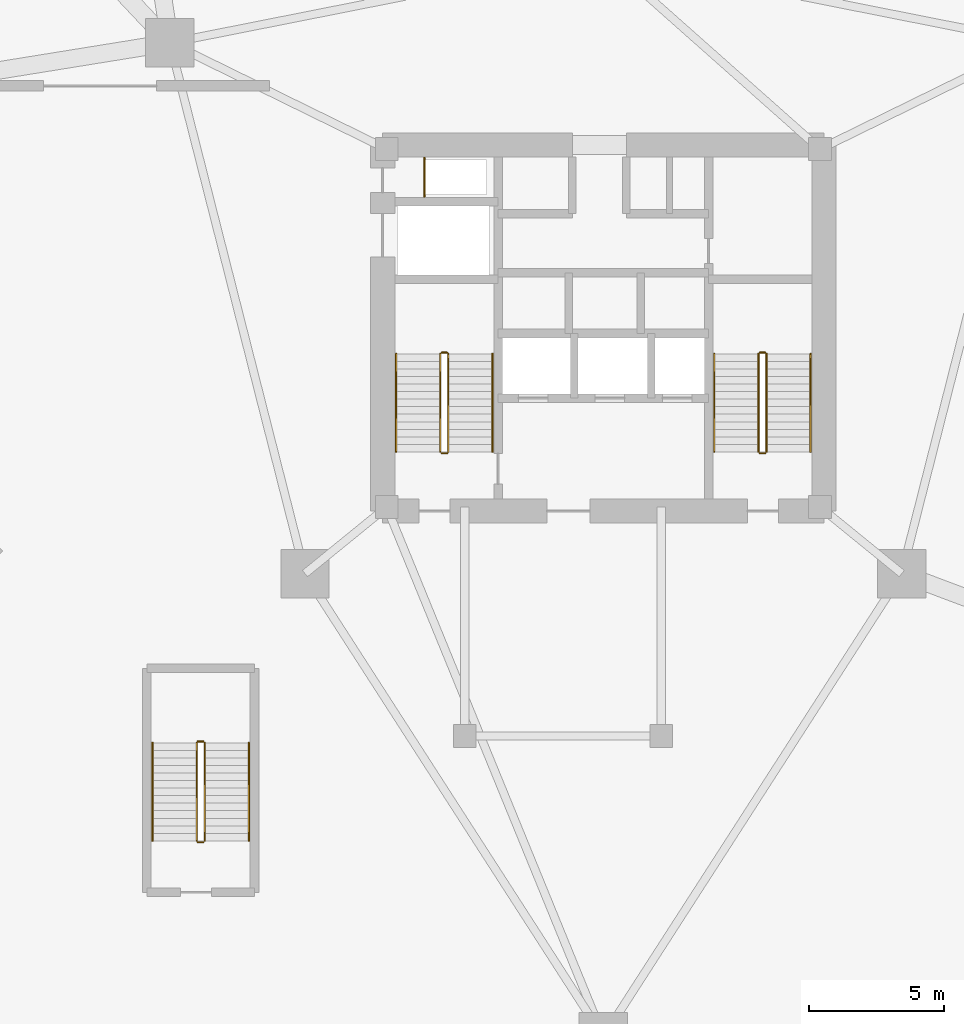
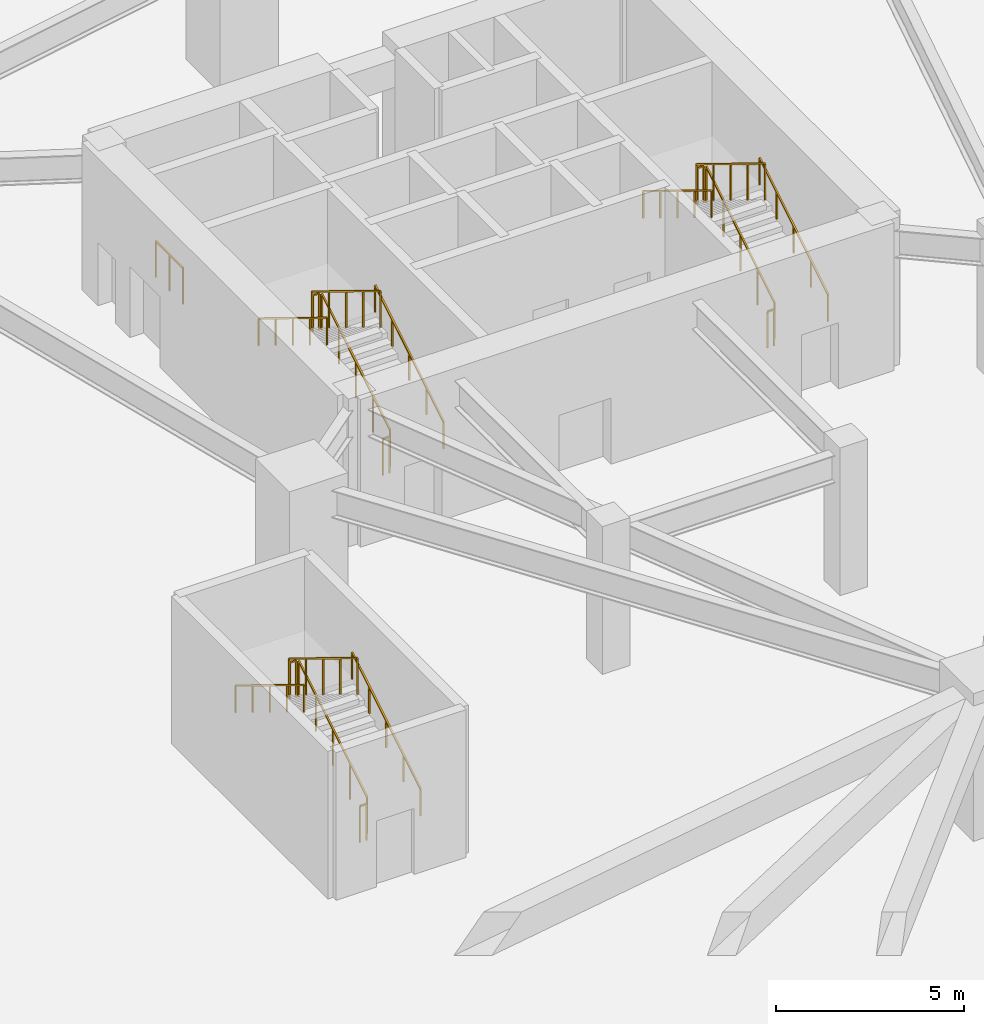
# One storey, part 7 of 7: 19 railings.
"""IFC4 building model written with IfcOpenShell, lengths in metres."""

import ifcopenshell
import ifcopenshell.guid

model = None  # the IFC model being written
_history = None  # IfcOwnerHistory: only IFC2X3 demands one
_inside = {}  # id of a spatial element -> (the spatial element, [elements in it])
_under = {}  # id of a project, library or spatial element -> (it, [spatial elements below it])
_declared = {}  # id of a project -> (the project, [libraries it declares])
_typed = {}  # id of a type object -> (the type object, [elements of that type])
_made_of = {}  # id of a material, layer set ... -> (it, [elements and type objects made of it])


def new_model(schema):
    """Start an empty IFC model of exactly this schema.

    Asked for "IFC4X3", IfcOpenShell would pick the latest addendum, in which some entities
    have other attributes; the version numbers below select the first issue.
    IFC2X3 requires an IfcOwnerHistory on every rooted entity: one is made here for all.
    """
    global model, _history
    if schema == "IFC4X3":
        model = ifcopenshell.file(schema_version=(4, 3, 0, 0))
    else:
        model = ifcopenshell.file(schema=schema)
    _inside.clear()
    _under.clear()
    _declared.clear()
    _typed.clear()
    _made_of.clear()
    _history = None
    if model.schema == "IFC2X3":
        org = make("IfcOrganization", Name="unknown")
        user = make(
            "IfcPersonAndOrganization",
            ThePerson=make("IfcPerson", FamilyName="unknown"),
            TheOrganization=org,
        )
        app = make(
            "IfcApplication",
            ApplicationDeveloper=org,
            Version="unknown",
            ApplicationFullName="unknown",
            ApplicationIdentifier="unknown",
        )
        _history = make(
            "IfcOwnerHistory",
            OwningUser=user,
            OwningApplication=app,
            ChangeAction="ADDED",
            CreationDate=0,
        )
    return model


def make(cls, **values):
    """One entity of the class cls with the attributes given. An attribute that is None is left unset."""
    return model.create_entity(
        cls, **{name: value for name, value in values.items() if value is not None}
    )


def rooted(cls, **values):
    """An entity with a GlobalId (a new one), such as an element, a storey or a relation."""
    return make(cls, GlobalId=ifcopenshell.guid.new(), OwnerHistory=_history, **values)


def si_unit(unit_type, name, prefix=None):
    """IfcSIUnit, for example si_unit("LENGTHUNIT", "METRE", prefix="MILLI")."""
    return make("IfcSIUnit", UnitType=unit_type, Prefix=prefix, Name=name)


def assignment(units):
    """IfcUnitAssignment: the units of a project."""
    return None if units is None else make("IfcUnitAssignment", Units=units)


def point(xyz):
    """IfcCartesianPoint."""
    return None if xyz is None else make("IfcCartesianPoint", Coordinates=xyz)


def direction(xyz):
    """IfcDirection."""
    return None if xyz is None else make("IfcDirection", DirectionRatios=xyz)


def frame(location, z_axis=None, x_axis=None):
    """IfcAxis2Placement3D, a coordinate frame: its origin and axes. An axis left out is left unset."""
    return make(
        "IfcAxis2Placement3D",
        Location=point(location),
        Axis=direction(z_axis),
        RefDirection=direction(x_axis),
    )


def frame_2d(location, x_axis=None):
    """IfcAxis2Placement2D, a coordinate frame in the plane: its origin and x axis."""
    return make(
        "IfcAxis2Placement2D", Location=point(location), RefDirection=direction(x_axis)
    )


def origin():
    """The frame at (0, 0, 0) with its axes left unset."""
    return frame((0.0, 0.0, 0.0))


def origin_2d():
    """The frame at (0, 0) in the plane with its x axis left unset."""
    return frame_2d((0.0, 0.0))


def place(relative_to, where):
    """IfcLocalPlacement: puts the frame where relative to a parent placement (None: the world)."""
    return make(
        "IfcLocalPlacement", PlacementRelTo=relative_to, RelativePlacement=where
    )


def context(
    kind, dimensions, precision=None, world=None, true_north=None, identifier=None
):
    """IfcGeometricRepresentationContext, for example the 3D "Model" context."""
    return make(
        "IfcGeometricRepresentationContext",
        ContextIdentifier=identifier,
        ContextType=kind,
        CoordinateSpaceDimension=dimensions,
        Precision=precision,
        WorldCoordinateSystem=world,
        TrueNorth=true_north,
    )


def subcontext(parent, identifier, kind, view, scale=None):
    """IfcGeometricRepresentationSubContext, for example "Body" below "Model"."""
    return make(
        "IfcGeometricRepresentationSubContext",
        ContextIdentifier=identifier,
        ContextType=kind,
        ParentContext=parent,
        TargetScale=scale,
        TargetView=view,
    )


def project(units=None, contexts=None):
    """IfcProject with its units and contexts."""
    return rooted(
        "IfcProject",
        Name="project",
        RepresentationContexts=contexts,
        UnitsInContext=assignment(units),
    )


def spatial(cls, under=None, at=None, **own):
    """A site, building, storey or space (cls), placed at a placement, below another one or the project."""
    s = rooted(cls, ObjectPlacement=at, **own)
    if under is not None:
        _under.setdefault(under.id(), (under, []))[1].append(s)
    return s


def profile(cls, at=None, kind="AREA", **sizes):
    """A parametric profile (cls). Its sizes go by their IFC names, for example OverallWidth=200.0."""
    return make(cls, ProfileType=kind, Position=at, **sizes)


def rectangle(**sizes):
    """IfcRectangleProfileDef."""
    return profile("IfcRectangleProfileDef", **sizes)


def extrude(swept, where, along, depth):
    """IfcExtrudedAreaSolid: the profile swept, set in the frame where, extruded along a direction by depth."""
    return make(
        "IfcExtrudedAreaSolid",
        SweptArea=swept,
        Position=where,
        ExtrudedDirection=direction(along),
        Depth=depth,
    )


def shape(context_of_items, identifier, shape_type, items):
    """IfcShapeRepresentation: the items that make up one representation, for example the "Body"."""
    return make(
        "IfcShapeRepresentation",
        ContextOfItems=context_of_items,
        RepresentationIdentifier=identifier,
        RepresentationType=shape_type,
        Items=items,
    )


def material(Name=None, Category=None):
    """IfcMaterial."""
    return make("IfcMaterial", Name=Name, Category=Category)


def made_of(thing, what):
    """Note that an element or type object is made of a material, layer set ...; save() writes the relation."""
    if what is not None:
        _made_of.setdefault(what.id(), (what, []))[1].append(thing)
    return thing


def type_object(cls, material=None, **own):
    """A type object (cls), such as IfcWallType, which elements share."""
    return made_of(rooted(cls, **own), material)


def element(
    cls,
    number,
    at=None,
    inside=None,
    cuts=None,
    type_object=None,
    material=None,
    context=None,
    identifier="Body",
    shape_type=None,
    held_by="IfcProductDefinitionShape",
    body=None,
    shapes=None,
    **own,
):
    """One element of the class cls, such as IfcWall. Its Tag is "e" and its number.

    at: its placement. inside: the storey or other place that contains it. cuts: it is an
    opening in that element (IfcRelVoidsElement). A single representation is given by context,
    identifier, shape_type and body (its items); several are given by shapes. held_by: the class
    of the entity that holds the representations. save() writes the other relations.
    """
    e = rooted(cls, Tag="e%d" % number, ObjectPlacement=at, **own)
    if body is not None:
        shapes = [shape(context, identifier, shape_type, body)]
    if shapes is not None:
        e.Representation = make(held_by, Representations=shapes)
    if inside is not None:
        _inside.setdefault(inside.id(), (inside, []))[1].append(e)
    if cuts is not None:
        rooted(
            "IfcRelVoidsElement", RelatingBuildingElement=cuts, RelatedOpeningElement=e
        )
    if type_object is not None:
        _typed.setdefault(type_object.id(), (type_object, []))[1].append(e)
    return made_of(e, material)


def aggregate(whole, parts):
    """IfcRelAggregates: a whole, such as a stair, and the parts it consists of."""
    return rooted("IfcRelAggregates", RelatingObject=whole, RelatedObjects=parts)


def save(model, path):
    """Write the relations noted so far, then the file.

    IfcRelAggregates (storeys below a building ...), IfcRelContainedInSpatialStructure (elements
    in a storey), IfcRelDefinesByType, IfcRelAssociatesMaterial and IfcRelDeclares: one each for
    every whole, place, type object, material and project.
    """
    for whole, parts in _under.values():
        aggregate(whole, parts)
    for where, things in _inside.values():
        rooted(
            "IfcRelContainedInSpatialStructure",
            RelatedElements=things,
            RelatingStructure=where,
        )
    for kind, things in _typed.values():
        rooted("IfcRelDefinesByType", RelatedObjects=things, RelatingType=kind)
    for what, things in _made_of.values():
        rooted("IfcRelAssociatesMaterial", RelatedObjects=things, RelatingMaterial=what)
    for by, libraries in _declared.values():
        rooted("IfcRelDeclares", RelatingContext=by, RelatedDefinitions=libraries)
    model.write(path)


model = new_model("IFC4")

# Units and contexts
model_context = context("Model", 3, precision=1e-05, world=origin(), true_north=direction((0.0, 1.0)))
body_context = subcontext(model_context, "Body", "Model", "MODEL_VIEW")
ifc_project = project(units=[si_unit("LENGTHUNIT", "METRE"), si_unit("AREAUNIT", "SQUARE_METRE"), si_unit("VOLUMEUNIT", "CUBIC_METRE"), si_unit("PLANEANGLEUNIT", "RADIAN"), si_unit("MASSUNIT", "GRAM", prefix="KILO")], contexts=[model_context])

# Site, building, storey
site_placement = place(None, origin())
site = spatial("IfcSite", under=ifc_project, at=site_placement, CompositionType="ELEMENT")
building_placement = place(site_placement, origin())
building = spatial("IfcBuilding", under=site, at=building_placement, Name="Talyreon Biosciences Tower", CompositionType="ELEMENT")
storey_placement = place(building_placement, frame((0.0, 0.0, -4.800048828125)))
storey = spatial("IfcBuildingStorey", under=building, at=storey_placement, Name="B1", CompositionType="ELEMENT", Elevation=-4.800048828125)

# Railings
ifc_material_1 = material(Name="Brushed stainless-steel tubular handrail", Category="steel")
railing_type_1 = type_object("IfcRailingType", Name="StairWallHandrail_900", PredefinedType="HANDRAIL", material=ifc_material_1)
railing_1_placement = place(storey_placement, frame((61.8798828125, 63.39990234375, 0.17138671875)))
element("IfcRailing", 1, at=railing_1_placement, inside=storey, type_object=railing_type_1, Name="B1 ST-1 stair handrail 1", PredefinedType="HANDRAIL", context=body_context, shape_type="SweptSolid", body=[
    extrude(rectangle(XDim=0.048095703125, YDim=0.048095703125, at=origin_2d()), frame((0.0, 0.0, 0.8759765625), z_axis=(0.0, 0.852840387347, 0.522171689878), x_axis=(-1.0, 0.0, 0.0)), (0.0, 0.0, 1.0), 4.268310546875),
    extrude(rectangle(XDim=0.0419921875, YDim=0.0419921875, at=origin_2d()), origin(), (0.0, 0.0, 1.0), 0.851806640625),
    extrude(rectangle(XDim=0.0419921875, YDim=0.0419921875, at=origin_2d()), frame((0.0, 0.91015625, 0.55712890625)), (0.0, 0.0, 1.0), 0.851806640625),
    extrude(rectangle(XDim=0.0419921875, YDim=0.0419921875, at=origin_2d()), frame((0.0, 1.820068359375, 1.1142578125)), (0.0, 0.0, 1.0), 0.851806640625),
    extrude(rectangle(XDim=0.0419921875, YDim=0.0419921875, at=origin_2d()), frame((0.0, 2.72998046875, 1.671630859375)), (0.0, 0.0, 1.0), 0.851806640625),
    extrude(rectangle(XDim=0.0419921875, YDim=0.0419921875, at=origin_2d()), frame((0.0, 3.64013671875, 2.228759765625)), (0.0, 0.0, 1.0), 0.851806640625),
])
railing_2_placement = place(storey_placement, frame((58.300048828125, 67.0400390625, 2.571533203125)))
element("IfcRailing", 2, at=railing_2_placement, inside=storey, type_object=railing_type_1, Name="B1 ST-1 stair handrail 2", PredefinedType="HANDRAIL", context=body_context, shape_type="SweptSolid", body=[
    extrude(rectangle(XDim=0.048095703125, YDim=0.048095703125, at=origin_2d()), frame((0.0, 0.0, 0.8759765625), z_axis=(0.0, -0.852865859571, 0.52213008492), x_axis=(1.0, 0.0, 0.0)), (0.0, 0.0, 1.0), 4.26806640625),
    extrude(rectangle(XDim=0.0419921875, YDim=0.0419921875, at=origin_2d()), origin(), (0.0, 0.0, 1.0), 0.851806640625),
    extrude(rectangle(XDim=0.0419921875, YDim=0.0419921875, at=origin_2d()), frame((0.0, -0.91015625, 0.55712890625)), (0.0, 0.0, 1.0), 0.851806640625),
    extrude(rectangle(XDim=0.0419921875, YDim=0.0419921875, at=origin_2d()), frame((0.0, -1.820068359375, 1.1142578125)), (0.0, 0.0, 1.0), 0.851806640625),
    extrude(rectangle(XDim=0.0419921875, YDim=0.0419921875, at=origin_2d()), frame((0.0, -2.72998046875, 1.67138671875)), (0.0, 0.0, 1.0), 0.851806640625),
    extrude(rectangle(XDim=0.0419921875, YDim=0.0419921875, at=origin_2d()), frame((0.0, -3.64013671875, 2.228515625)), (0.0, 0.0, 1.0), 0.851806640625),
])
railing_3_placement = place(storey_placement, frame((73.699951171875, 63.39990234375, 0.17138671875)))
element("IfcRailing", 3, at=railing_3_placement, inside=storey, type_object=railing_type_1, Name="B1 ST-2 stair handrail 1", PredefinedType="HANDRAIL", context=body_context, shape_type="SweptSolid", body=[
    extrude(rectangle(XDim=0.048095703125, YDim=0.048095703125, at=origin_2d()), frame((0.0, 0.0, 0.8759765625), z_axis=(0.0, 0.852840387347, 0.522171689878), x_axis=(-1.0, 0.0, 0.0)), (0.0, 0.0, 1.0), 4.268310546875),
    extrude(rectangle(XDim=0.0419921875, YDim=0.0419921875, at=origin_2d()), origin(), (0.0, 0.0, 1.0), 0.851806640625),
    extrude(rectangle(XDim=0.0419921875, YDim=0.0419921875, at=origin_2d()), frame((0.0, 0.91015625, 0.55712890625)), (0.0, 0.0, 1.0), 0.851806640625),
    extrude(rectangle(XDim=0.0419921875, YDim=0.0419921875, at=origin_2d()), frame((0.0, 1.820068359375, 1.1142578125)), (0.0, 0.0, 1.0), 0.851806640625),
    extrude(rectangle(XDim=0.0419921875, YDim=0.0419921875, at=origin_2d()), frame((0.0, 2.72998046875, 1.671630859375)), (0.0, 0.0, 1.0), 0.851806640625),
    extrude(rectangle(XDim=0.0419921875, YDim=0.0419921875, at=origin_2d()), frame((0.0, 3.64013671875, 2.228759765625)), (0.0, 0.0, 1.0), 0.851806640625),
])
railing_4_placement = place(storey_placement, frame((70.1201171875, 67.0400390625, 2.571533203125)))
element("IfcRailing", 4, at=railing_4_placement, inside=storey, type_object=railing_type_1, Name="B1 ST-2 stair handrail 2", PredefinedType="HANDRAIL", context=body_context, shape_type="SweptSolid", body=[
    extrude(rectangle(XDim=0.048095703125, YDim=0.048095703125, at=origin_2d()), frame((0.0, 0.0, 0.8759765625), z_axis=(0.0, -0.852865859571, 0.52213008492), x_axis=(1.0, 0.0, 0.0)), (0.0, 0.0, 1.0), 4.26806640625),
    extrude(rectangle(XDim=0.0419921875, YDim=0.0419921875, at=origin_2d()), origin(), (0.0, 0.0, 1.0), 0.851806640625),
    extrude(rectangle(XDim=0.0419921875, YDim=0.0419921875, at=origin_2d()), frame((0.0, -0.91015625, 0.55712890625)), (0.0, 0.0, 1.0), 0.851806640625),
    extrude(rectangle(XDim=0.0419921875, YDim=0.0419921875, at=origin_2d()), frame((0.0, -1.820068359375, 1.1142578125)), (0.0, 0.0, 1.0), 0.851806640625),
    extrude(rectangle(XDim=0.0419921875, YDim=0.0419921875, at=origin_2d()), frame((0.0, -2.72998046875, 1.67138671875)), (0.0, 0.0, 1.0), 0.851806640625),
    extrude(rectangle(XDim=0.0419921875, YDim=0.0419921875, at=origin_2d()), frame((0.0, -3.64013671875, 2.228515625)), (0.0, 0.0, 1.0), 0.851806640625),
])
railing_5_placement = place(storey_placement, frame((52.830078125, 48.949951171875, 0.17138671875)))
element("IfcRailing", 5, at=railing_5_placement, inside=storey, type_object=railing_type_1, Name="B1 ST-3 stair handrail 1", PredefinedType="HANDRAIL", context=body_context, shape_type="SweptSolid", body=[
    extrude(rectangle(XDim=0.048095703125, YDim=0.048095703125, at=origin_2d()), frame((0.0, 0.0, 0.8759765625), z_axis=(0.0, 0.852840387347, 0.522171689878), x_axis=(-1.0, 0.0, 0.0)), (0.0, 0.0, 1.0), 4.268310546875),
    extrude(rectangle(XDim=0.0419921875, YDim=0.0419921875, at=origin_2d()), origin(), (0.0, 0.0, 1.0), 0.851806640625),
    extrude(rectangle(XDim=0.0419921875, YDim=0.0419921875, at=origin_2d()), frame((0.0, 0.91015625, 0.55712890625)), (0.0, 0.0, 1.0), 0.851806640625),
    extrude(rectangle(XDim=0.0419921875, YDim=0.0419921875, at=origin_2d()), frame((0.0, 1.820068359375, 1.1142578125)), (0.0, 0.0, 1.0), 0.851806640625),
    extrude(rectangle(XDim=0.0419921875, YDim=0.0419921875, at=origin_2d()), frame((0.0, 2.72998046875, 1.671630859375)), (0.0, 0.0, 1.0), 0.851806640625),
    extrude(rectangle(XDim=0.0419921875, YDim=0.0419921875, at=origin_2d()), frame((0.0, 3.64013671875, 2.228759765625)), (0.0, 0.0, 1.0), 0.851806640625),
])
railing_6_placement = place(storey_placement, frame((49.25, 52.590087890625, 2.571533203125)))
element("IfcRailing", 6, at=railing_6_placement, inside=storey, type_object=railing_type_1, Name="B1 ST-3 stair handrail 2", PredefinedType="HANDRAIL", context=body_context, shape_type="SweptSolid", body=[
    extrude(rectangle(XDim=0.048095703125, YDim=0.048095703125, at=origin_2d()), frame((0.0, 0.0, 0.8759765625), z_axis=(0.0, -0.852865859571, 0.52213008492), x_axis=(1.0, 0.0, 0.0)), (0.0, 0.0, 1.0), 4.26806640625),
    extrude(rectangle(XDim=0.0419921875, YDim=0.0419921875, at=origin_2d()), origin(), (0.0, 0.0, 1.0), 0.851806640625),
    extrude(rectangle(XDim=0.0419921875, YDim=0.0419921875, at=origin_2d()), frame((0.0, -0.91015625, 0.55712890625)), (0.0, 0.0, 1.0), 0.851806640625),
    extrude(rectangle(XDim=0.0419921875, YDim=0.0419921875, at=origin_2d()), frame((0.0, -1.820068359375, 1.1142578125)), (0.0, 0.0, 1.0), 0.851806640625),
    extrude(rectangle(XDim=0.0419921875, YDim=0.0419921875, at=origin_2d()), frame((0.0, -2.72998046875, 1.67138671875)), (0.0, 0.0, 1.0), 0.851806640625),
    extrude(rectangle(XDim=0.0419921875, YDim=0.0419921875, at=origin_2d()), frame((0.0, -3.64013671875, 2.228515625)), (0.0, 0.0, 1.0), 0.851806640625),
])
ifc_material_2 = material(Name="Painted galvanised steel post-and-rail balustrade", Category="steel")
railing_type_2 = type_object("IfcRailingType", Name="TerraceStairGuard_1200", PredefinedType="GUARDRAIL", material=ifc_material_2)
railing_7_placement = place(storey_placement, frame((60.239990234375, 63.39990234375, 0.17138671875)))
element("IfcRailing", 7, at=railing_7_placement, inside=storey, type_object=railing_type_2, Name="B1 ST-1 stair guard 1", PredefinedType="GUARDRAIL", context=body_context, shape_type="SweptSolid", body=[
    extrude(rectangle(XDim=0.048095703125, YDim=0.048095703125, at=origin_2d()), frame((0.0, 0.0, 1.17578125), z_axis=(0.0, 0.852840387347, 0.522171689878), x_axis=(-1.0, 0.0, 0.0)), (0.0, 0.0, 1.0), 4.268310546875),
    extrude(rectangle(XDim=0.0419921875, YDim=0.0419921875, at=origin_2d()), origin(), (0.0, 0.0, 1.0), 1.15185546875),
    extrude(rectangle(XDim=0.0419921875, YDim=0.0419921875, at=origin_2d()), frame((0.0, 0.91015625, 0.55712890625)), (0.0, 0.0, 1.0), 1.15185546875),
    extrude(rectangle(XDim=0.0419921875, YDim=0.0419921875, at=origin_2d()), frame((0.0, 1.820068359375, 1.1142578125)), (0.0, 0.0, 1.0), 1.15185546875),
    extrude(rectangle(XDim=0.0419921875, YDim=0.0419921875, at=origin_2d()), frame((0.0, 2.72998046875, 1.671630859375)), (0.0, 0.0, 1.0), 1.15185546875),
    extrude(rectangle(XDim=0.0419921875, YDim=0.0419921875, at=origin_2d()), frame((0.0, 3.64013671875, 2.228759765625)), (0.0, 0.0, 1.0), 1.15185546875),
])
railing_8_placement = place(storey_placement, frame((60.18994140625, 67.090087890625, 2.400146484375)))
element("IfcRailing", 8, at=railing_8_placement, inside=storey, type_object=railing_type_2, Name="B1 ST-1 stair guard 2", PredefinedType="GUARDRAIL", context=body_context, shape_type="SweptSolid", body=[
    extrude(rectangle(XDim=0.048095703125, YDim=0.048095703125, at=origin_2d()), frame((0.0, 0.0, 1.17578125), z_axis=(-1.0, 0.0, 0.0), x_axis=(0.0, -1.0, 0.0)), (0.0, 0.0, 1.0), 0.199951171875),
    extrude(rectangle(XDim=0.0419921875, YDim=0.0419921875, at=origin_2d()), origin(), (0.0, 0.0, 1.0), 1.15185546875),
    extrude(rectangle(XDim=0.0419921875, YDim=0.0419921875, at=origin_2d()), frame((-0.199951171875, 0.0, 0.0)), (0.0, 0.0, 1.0), 1.15185546875),
])
railing_9_placement = place(storey_placement, frame((59.93994140625, 67.0400390625, 2.571533203125)))
element("IfcRailing", 9, at=railing_9_placement, inside=storey, type_object=railing_type_2, Name="B1 ST-1 stair guard 3", PredefinedType="GUARDRAIL", context=body_context, shape_type="SweptSolid", body=[
    extrude(rectangle(XDim=0.048095703125, YDim=0.048095703125, at=origin_2d()), frame((0.0, 0.0, 1.17578125), z_axis=(0.0, -0.852865859571, 0.52213008492), x_axis=(1.0, 0.0, 0.0)), (0.0, 0.0, 1.0), 4.26806640625),
    extrude(rectangle(XDim=0.0419921875, YDim=0.0419921875, at=origin_2d()), origin(), (0.0, 0.0, 1.0), 1.15185546875),
    extrude(rectangle(XDim=0.0419921875, YDim=0.0419921875, at=origin_2d()), frame((0.0, -0.91015625, 0.55712890625)), (0.0, 0.0, 1.0), 1.15185546875),
    extrude(rectangle(XDim=0.0419921875, YDim=0.0419921875, at=origin_2d()), frame((0.0, -1.820068359375, 1.1142578125)), (0.0, 0.0, 1.0), 1.15185546875),
    extrude(rectangle(XDim=0.0419921875, YDim=0.0419921875, at=origin_2d()), frame((0.0, -2.72998046875, 1.67138671875)), (0.0, 0.0, 1.0), 1.15185546875),
    extrude(rectangle(XDim=0.0419921875, YDim=0.0419921875, at=origin_2d()), frame((0.0, -3.64013671875, 2.228515625)), (0.0, 0.0, 1.0), 1.15185546875),
])
railing_10_placement = place(storey_placement, frame((60.18994140625, 63.35009765625, 0.0)))
element("IfcRailing", 10, at=railing_10_placement, inside=storey, type_object=railing_type_2, Name="B1 ST-1 stair guard 4", PredefinedType="GUARDRAIL", context=body_context, shape_type="SweptSolid", body=[
    extrude(rectangle(XDim=0.048095703125, YDim=0.048095703125, at=origin_2d()), frame((0.0, 0.0, 1.17578125), z_axis=(-1.0, 0.0, 0.0), x_axis=(0.0, -1.0, 0.0)), (0.0, 0.0, 1.0), 0.199951171875),
    extrude(rectangle(XDim=0.0419921875, YDim=0.0419921875, at=origin_2d()), origin(), (0.0, 0.0, 1.0), 1.15185546875),
    extrude(rectangle(XDim=0.0419921875, YDim=0.0419921875, at=origin_2d()), frame((-0.199951171875, 0.0, 0.0)), (0.0, 0.0, 1.0), 1.15185546875),
])
railing_11_placement = place(storey_placement, frame((72.06005859375, 63.39990234375, 0.17138671875)))
element("IfcRailing", 11, at=railing_11_placement, inside=storey, type_object=railing_type_2, Name="B1 ST-2 stair guard 1", PredefinedType="GUARDRAIL", context=body_context, shape_type="SweptSolid", body=[
    extrude(rectangle(XDim=0.048095703125, YDim=0.048095703125, at=origin_2d()), frame((0.0, 0.0, 1.17578125), z_axis=(0.0, 0.852840387347, 0.522171689878), x_axis=(-1.0, 0.0, 0.0)), (0.0, 0.0, 1.0), 4.268310546875),
    extrude(rectangle(XDim=0.0419921875, YDim=0.0419921875, at=origin_2d()), origin(), (0.0, 0.0, 1.0), 1.15185546875),
    extrude(rectangle(XDim=0.0419921875, YDim=0.0419921875, at=origin_2d()), frame((0.0, 0.91015625, 0.55712890625)), (0.0, 0.0, 1.0), 1.15185546875),
    extrude(rectangle(XDim=0.0419921875, YDim=0.0419921875, at=origin_2d()), frame((0.0, 1.820068359375, 1.1142578125)), (0.0, 0.0, 1.0), 1.15185546875),
    extrude(rectangle(XDim=0.0419921875, YDim=0.0419921875, at=origin_2d()), frame((0.0, 2.72998046875, 1.671630859375)), (0.0, 0.0, 1.0), 1.15185546875),
    extrude(rectangle(XDim=0.0419921875, YDim=0.0419921875, at=origin_2d()), frame((0.0, 3.64013671875, 2.228759765625)), (0.0, 0.0, 1.0), 1.15185546875),
])
railing_12_placement = place(storey_placement, frame((72.010009765625, 67.090087890625, 2.400146484375)))
element("IfcRailing", 12, at=railing_12_placement, inside=storey, type_object=railing_type_2, Name="B1 ST-2 stair guard 2", PredefinedType="GUARDRAIL", context=body_context, shape_type="SweptSolid", body=[
    extrude(rectangle(XDim=0.048095703125, YDim=0.048095703125, at=origin_2d()), frame((0.0, 0.0, 1.17578125), z_axis=(-1.0, 0.0, 0.0), x_axis=(0.0, -1.0, 0.0)), (0.0, 0.0, 1.0), 0.199951171875),
    extrude(rectangle(XDim=0.0419921875, YDim=0.0419921875, at=origin_2d()), origin(), (0.0, 0.0, 1.0), 1.15185546875),
    extrude(rectangle(XDim=0.0419921875, YDim=0.0419921875, at=origin_2d()), frame((-0.199951171875, 0.0, 0.0)), (0.0, 0.0, 1.0), 1.15185546875),
])
railing_13_placement = place(storey_placement, frame((71.760009765625, 67.0400390625, 2.571533203125)))
element("IfcRailing", 13, at=railing_13_placement, inside=storey, type_object=railing_type_2, Name="B1 ST-2 stair guard 3", PredefinedType="GUARDRAIL", context=body_context, shape_type="SweptSolid", body=[
    extrude(rectangle(XDim=0.048095703125, YDim=0.048095703125, at=origin_2d()), frame((0.0, 0.0, 1.17578125), z_axis=(0.0, -0.852865859571, 0.52213008492), x_axis=(1.0, 0.0, 0.0)), (0.0, 0.0, 1.0), 4.26806640625),
    extrude(rectangle(XDim=0.0419921875, YDim=0.0419921875, at=origin_2d()), origin(), (0.0, 0.0, 1.0), 1.15185546875),
    extrude(rectangle(XDim=0.0419921875, YDim=0.0419921875, at=origin_2d()), frame((0.0, -0.91015625, 0.55712890625)), (0.0, 0.0, 1.0), 1.15185546875),
    extrude(rectangle(XDim=0.0419921875, YDim=0.0419921875, at=origin_2d()), frame((0.0, -1.820068359375, 1.1142578125)), (0.0, 0.0, 1.0), 1.15185546875),
    extrude(rectangle(XDim=0.0419921875, YDim=0.0419921875, at=origin_2d()), frame((0.0, -2.72998046875, 1.67138671875)), (0.0, 0.0, 1.0), 1.15185546875),
    extrude(rectangle(XDim=0.0419921875, YDim=0.0419921875, at=origin_2d()), frame((0.0, -3.64013671875, 2.228515625)), (0.0, 0.0, 1.0), 1.15185546875),
])
railing_14_placement = place(storey_placement, frame((72.010009765625, 63.35009765625, 0.0)))
element("IfcRailing", 14, at=railing_14_placement, inside=storey, type_object=railing_type_2, Name="B1 ST-2 stair guard 4", PredefinedType="GUARDRAIL", context=body_context, shape_type="SweptSolid", body=[
    extrude(rectangle(XDim=0.048095703125, YDim=0.048095703125, at=origin_2d()), frame((0.0, 0.0, 1.17578125), z_axis=(-1.0, 0.0, 0.0), x_axis=(0.0, -1.0, 0.0)), (0.0, 0.0, 1.0), 0.199951171875),
    extrude(rectangle(XDim=0.0419921875, YDim=0.0419921875, at=origin_2d()), origin(), (0.0, 0.0, 1.0), 1.15185546875),
    extrude(rectangle(XDim=0.0419921875, YDim=0.0419921875, at=origin_2d()), frame((-0.199951171875, 0.0, 0.0)), (0.0, 0.0, 1.0), 1.15185546875),
])
railing_15_placement = place(storey_placement, frame((51.18994140625, 48.949951171875, 0.17138671875)))
element("IfcRailing", 15, at=railing_15_placement, inside=storey, type_object=railing_type_2, Name="B1 ST-3 stair guard 1", PredefinedType="GUARDRAIL", context=body_context, shape_type="SweptSolid", body=[
    extrude(rectangle(XDim=0.048095703125, YDim=0.048095703125, at=origin_2d()), frame((0.0, 0.0, 1.17578125), z_axis=(0.0, 0.852840387347, 0.522171689878), x_axis=(-1.0, 0.0, 0.0)), (0.0, 0.0, 1.0), 4.268310546875),
    extrude(rectangle(XDim=0.0419921875, YDim=0.0419921875, at=origin_2d()), origin(), (0.0, 0.0, 1.0), 1.15185546875),
    extrude(rectangle(XDim=0.0419921875, YDim=0.0419921875, at=origin_2d()), frame((0.0, 0.91015625, 0.55712890625)), (0.0, 0.0, 1.0), 1.15185546875),
    extrude(rectangle(XDim=0.0419921875, YDim=0.0419921875, at=origin_2d()), frame((0.0, 1.820068359375, 1.1142578125)), (0.0, 0.0, 1.0), 1.15185546875),
    extrude(rectangle(XDim=0.0419921875, YDim=0.0419921875, at=origin_2d()), frame((0.0, 2.72998046875, 1.671630859375)), (0.0, 0.0, 1.0), 1.15185546875),
    extrude(rectangle(XDim=0.0419921875, YDim=0.0419921875, at=origin_2d()), frame((0.0, 3.64013671875, 2.228759765625)), (0.0, 0.0, 1.0), 1.15185546875),
])
railing_16_placement = place(storey_placement, frame((51.139892578125, 52.639892578125, 2.400146484375)))
element("IfcRailing", 16, at=railing_16_placement, inside=storey, type_object=railing_type_2, Name="B1 ST-3 stair guard 2", PredefinedType="GUARDRAIL", context=body_context, shape_type="SweptSolid", body=[
    extrude(rectangle(XDim=0.048095703125, YDim=0.048095703125, at=origin_2d()), frame((0.0, 0.0, 1.17578125), z_axis=(-1.0, 0.0, 0.0), x_axis=(0.0, -1.0, 0.0)), (0.0, 0.0, 1.0), 0.199951171875),
    extrude(rectangle(XDim=0.0419921875, YDim=0.0419921875, at=origin_2d()), origin(), (0.0, 0.0, 1.0), 1.15185546875),
    extrude(rectangle(XDim=0.0419921875, YDim=0.0419921875, at=origin_2d()), frame((-0.199951171875, 0.0, 0.0)), (0.0, 0.0, 1.0), 1.15185546875),
])
railing_17_placement = place(storey_placement, frame((50.889892578125, 52.590087890625, 2.571533203125)))
element("IfcRailing", 17, at=railing_17_placement, inside=storey, type_object=railing_type_2, Name="B1 ST-3 stair guard 3", PredefinedType="GUARDRAIL", context=body_context, shape_type="SweptSolid", body=[
    extrude(rectangle(XDim=0.048095703125, YDim=0.048095703125, at=origin_2d()), frame((0.0, 0.0, 1.17578125), z_axis=(0.0, -0.852865859571, 0.52213008492), x_axis=(1.0, 0.0, 0.0)), (0.0, 0.0, 1.0), 4.26806640625),
    extrude(rectangle(XDim=0.0419921875, YDim=0.0419921875, at=origin_2d()), origin(), (0.0, 0.0, 1.0), 1.15185546875),
    extrude(rectangle(XDim=0.0419921875, YDim=0.0419921875, at=origin_2d()), frame((0.0, -0.91015625, 0.55712890625)), (0.0, 0.0, 1.0), 1.15185546875),
    extrude(rectangle(XDim=0.0419921875, YDim=0.0419921875, at=origin_2d()), frame((0.0, -1.820068359375, 1.1142578125)), (0.0, 0.0, 1.0), 1.15185546875),
    extrude(rectangle(XDim=0.0419921875, YDim=0.0419921875, at=origin_2d()), frame((0.0, -2.72998046875, 1.67138671875)), (0.0, 0.0, 1.0), 1.15185546875),
    extrude(rectangle(XDim=0.0419921875, YDim=0.0419921875, at=origin_2d()), frame((0.0, -3.64013671875, 2.228515625)), (0.0, 0.0, 1.0), 1.15185546875),
])
railing_18_placement = place(storey_placement, frame((51.139892578125, 48.89990234375, 0.0)))
element("IfcRailing", 18, at=railing_18_placement, inside=storey, type_object=railing_type_2, Name="B1 ST-3 stair guard 4", PredefinedType="GUARDRAIL", context=body_context, shape_type="SweptSolid", body=[
    extrude(rectangle(XDim=0.048095703125, YDim=0.048095703125, at=origin_2d()), frame((0.0, 0.0, 1.17578125), z_axis=(-1.0, 0.0, 0.0), x_axis=(0.0, -1.0, 0.0)), (0.0, 0.0, 1.0), 0.199951171875),
    extrude(rectangle(XDim=0.0419921875, YDim=0.0419921875, at=origin_2d()), origin(), (0.0, 0.0, 1.0), 1.15185546875),
    extrude(rectangle(XDim=0.0419921875, YDim=0.0419921875, at=origin_2d()), frame((-0.199951171875, 0.0, 0.0)), (0.0, 0.0, 1.0), 1.15185546875),
])
railing_19_placement = place(storey_placement, frame((59.35009765625, 72.8798828125, 0.0)))
element("IfcRailing", 19, at=railing_19_placement, inside=storey, type_object=railing_type_2, Name="B1 Exhaust Riser Maintenance Guardrail", PredefinedType="GUARDRAIL", context=body_context, shape_type="SweptSolid", body=[
    extrude(rectangle(XDim=0.048095703125, YDim=0.048095703125, at=origin_2d()), frame((0.0, 0.0, 1.17578125), z_axis=(0.0, 1.0, 0.0), x_axis=(-1.0, 0.0, 0.0)), (0.0, 0.0, 1.0), 1.4501953125),
    extrude(rectangle(XDim=0.0419921875, YDim=0.0419921875, at=origin_2d()), origin(), (0.0, 0.0, 1.0), 1.15185546875),
    extrude(rectangle(XDim=0.0419921875, YDim=0.0419921875, at=origin_2d()), frame((0.0, 0.72509765625, 0.0)), (0.0, 0.0, 1.0), 1.15185546875),
    extrude(rectangle(XDim=0.0419921875, YDim=0.0419921875, at=origin_2d()), frame((0.0, 1.4501953125, 0.0)), (0.0, 0.0, 1.0), 1.15185546875),
])

save(model, "model.ifc")
